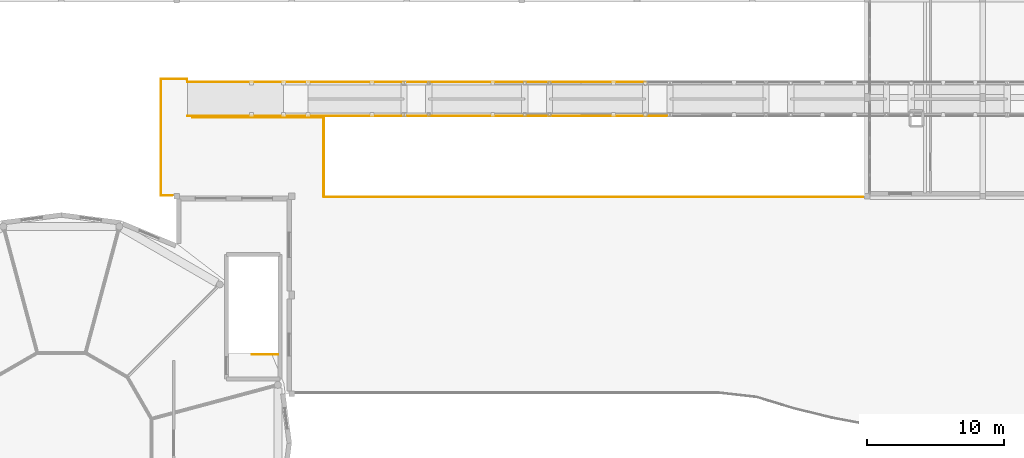
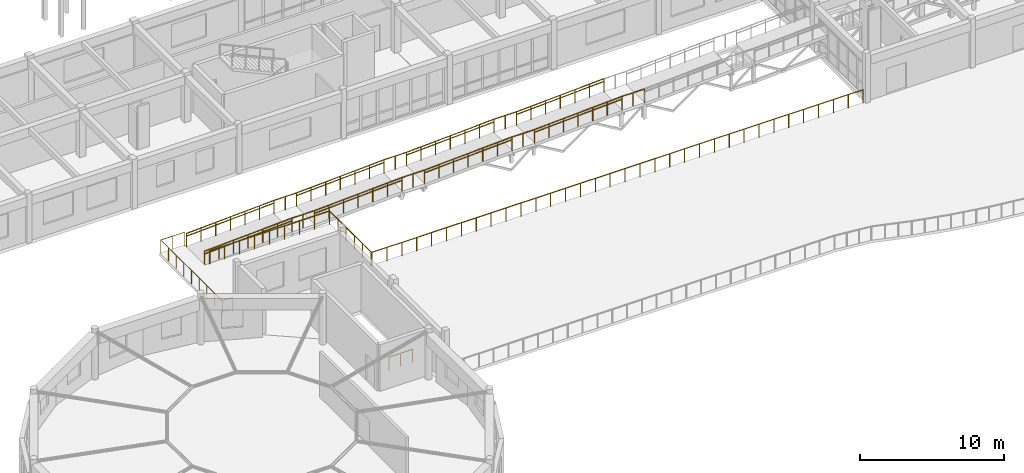
# One storey, part 81 of 90: 26 railings.
"""IFC4 building model written with IfcOpenShell, lengths in metres."""

import ifcopenshell
import ifcopenshell.guid

model = None  # the IFC model being written
_history = None  # IfcOwnerHistory: only IFC2X3 demands one
_inside = {}  # id of a spatial element -> (the spatial element, [elements in it])
_under = {}  # id of a project, library or spatial element -> (it, [spatial elements below it])
_declared = {}  # id of a project -> (the project, [libraries it declares])
_typed = {}  # id of a type object -> (the type object, [elements of that type])
_made_of = {}  # id of a material, layer set ... -> (it, [elements and type objects made of it])


def new_model(schema):
    """Start an empty IFC model of exactly this schema.

    Asked for "IFC4X3", IfcOpenShell would pick the latest addendum, in which some entities
    have other attributes; the version numbers below select the first issue.
    IFC2X3 requires an IfcOwnerHistory on every rooted entity: one is made here for all.
    """
    global model, _history
    if schema == "IFC4X3":
        model = ifcopenshell.file(schema_version=(4, 3, 0, 0))
    else:
        model = ifcopenshell.file(schema=schema)
    _inside.clear()
    _under.clear()
    _declared.clear()
    _typed.clear()
    _made_of.clear()
    _history = None
    if model.schema == "IFC2X3":
        org = make("IfcOrganization", Name="unknown")
        user = make(
            "IfcPersonAndOrganization",
            ThePerson=make("IfcPerson", FamilyName="unknown"),
            TheOrganization=org,
        )
        app = make(
            "IfcApplication",
            ApplicationDeveloper=org,
            Version="unknown",
            ApplicationFullName="unknown",
            ApplicationIdentifier="unknown",
        )
        _history = make(
            "IfcOwnerHistory",
            OwningUser=user,
            OwningApplication=app,
            ChangeAction="ADDED",
            CreationDate=0,
        )
    return model


def make(cls, **values):
    """One entity of the class cls with the attributes given. An attribute that is None is left unset."""
    return model.create_entity(
        cls, **{name: value for name, value in values.items() if value is not None}
    )


def rooted(cls, **values):
    """An entity with a GlobalId (a new one), such as an element, a storey or a relation."""
    return make(cls, GlobalId=ifcopenshell.guid.new(), OwnerHistory=_history, **values)


def si_unit(unit_type, name, prefix=None):
    """IfcSIUnit, for example si_unit("LENGTHUNIT", "METRE", prefix="MILLI")."""
    return make("IfcSIUnit", UnitType=unit_type, Prefix=prefix, Name=name)


def assignment(units):
    """IfcUnitAssignment: the units of a project."""
    return None if units is None else make("IfcUnitAssignment", Units=units)


def point(xyz):
    """IfcCartesianPoint."""
    return None if xyz is None else make("IfcCartesianPoint", Coordinates=xyz)


def direction(xyz):
    """IfcDirection."""
    return None if xyz is None else make("IfcDirection", DirectionRatios=xyz)


def frame(location, z_axis=None, x_axis=None):
    """IfcAxis2Placement3D, a coordinate frame: its origin and axes. An axis left out is left unset."""
    return make(
        "IfcAxis2Placement3D",
        Location=point(location),
        Axis=direction(z_axis),
        RefDirection=direction(x_axis),
    )


def frame_2d(location, x_axis=None):
    """IfcAxis2Placement2D, a coordinate frame in the plane: its origin and x axis."""
    return make(
        "IfcAxis2Placement2D", Location=point(location), RefDirection=direction(x_axis)
    )


def origin():
    """The frame at (0, 0, 0) with its axes left unset."""
    return frame((0.0, 0.0, 0.0))


def origin_2d():
    """The frame at (0, 0) in the plane with its x axis left unset."""
    return frame_2d((0.0, 0.0))


def place(relative_to, where):
    """IfcLocalPlacement: puts the frame where relative to a parent placement (None: the world)."""
    return make(
        "IfcLocalPlacement", PlacementRelTo=relative_to, RelativePlacement=where
    )


def context(
    kind, dimensions, precision=None, world=None, true_north=None, identifier=None
):
    """IfcGeometricRepresentationContext, for example the 3D "Model" context."""
    return make(
        "IfcGeometricRepresentationContext",
        ContextIdentifier=identifier,
        ContextType=kind,
        CoordinateSpaceDimension=dimensions,
        Precision=precision,
        WorldCoordinateSystem=world,
        TrueNorth=true_north,
    )


def subcontext(parent, identifier, kind, view, scale=None):
    """IfcGeometricRepresentationSubContext, for example "Body" below "Model"."""
    return make(
        "IfcGeometricRepresentationSubContext",
        ContextIdentifier=identifier,
        ContextType=kind,
        ParentContext=parent,
        TargetScale=scale,
        TargetView=view,
    )


def project(units=None, contexts=None):
    """IfcProject with its units and contexts."""
    return rooted(
        "IfcProject",
        Name="project",
        RepresentationContexts=contexts,
        UnitsInContext=assignment(units),
    )


def spatial(cls, under=None, at=None, **own):
    """A site, building, storey or space (cls), placed at a placement, below another one or the project."""
    s = rooted(cls, ObjectPlacement=at, **own)
    if under is not None:
        _under.setdefault(under.id(), (under, []))[1].append(s)
    return s


def profile(cls, at=None, kind="AREA", **sizes):
    """A parametric profile (cls). Its sizes go by their IFC names, for example OverallWidth=200.0."""
    return make(cls, ProfileType=kind, Position=at, **sizes)


def circle(**sizes):
    """IfcCircleProfileDef."""
    return profile("IfcCircleProfileDef", **sizes)


def extrude(swept, where, along, depth):
    """IfcExtrudedAreaSolid: the profile swept, set in the frame where, extruded along a direction by depth."""
    return make(
        "IfcExtrudedAreaSolid",
        SweptArea=swept,
        Position=where,
        ExtrudedDirection=direction(along),
        Depth=depth,
    )


def shape(context_of_items, identifier, shape_type, items):
    """IfcShapeRepresentation: the items that make up one representation, for example the "Body"."""
    return make(
        "IfcShapeRepresentation",
        ContextOfItems=context_of_items,
        RepresentationIdentifier=identifier,
        RepresentationType=shape_type,
        Items=items,
    )


def material(Name=None, Category=None):
    """IfcMaterial."""
    return make("IfcMaterial", Name=Name, Category=Category)


def layer(
    of_material, thickness, ventilated=None, Name=None, Category=None, Priority=None
):
    """IfcMaterialLayer: one layer of a wall or slab, of a material (None: an air gap)."""
    return make(
        "IfcMaterialLayer",
        Material=of_material,
        LayerThickness=thickness,
        IsVentilated=ventilated,
        Name=Name,
        Category=Category,
        Priority=Priority,
    )


def layer_set(layers, Name=None):
    """IfcMaterialLayerSet."""
    return make("IfcMaterialLayerSet", MaterialLayers=layers, LayerSetName=Name)


def made_of(thing, what):
    """Note that an element or type object is made of a material, layer set ...; save() writes the relation."""
    if what is not None:
        _made_of.setdefault(what.id(), (what, []))[1].append(thing)
    return thing


def type_object(cls, material=None, **own):
    """A type object (cls), such as IfcWallType, which elements share."""
    return made_of(rooted(cls, **own), material)


def element(
    cls,
    number,
    at=None,
    inside=None,
    cuts=None,
    type_object=None,
    material=None,
    context=None,
    identifier="Body",
    shape_type=None,
    held_by="IfcProductDefinitionShape",
    body=None,
    shapes=None,
    **own,
):
    """One element of the class cls, such as IfcWall. Its Tag is "e" and its number.

    at: its placement. inside: the storey or other place that contains it. cuts: it is an
    opening in that element (IfcRelVoidsElement). A single representation is given by context,
    identifier, shape_type and body (its items); several are given by shapes. held_by: the class
    of the entity that holds the representations. save() writes the other relations.
    """
    e = rooted(cls, Tag="e%d" % number, ObjectPlacement=at, **own)
    if body is not None:
        shapes = [shape(context, identifier, shape_type, body)]
    if shapes is not None:
        e.Representation = make(held_by, Representations=shapes)
    if inside is not None:
        _inside.setdefault(inside.id(), (inside, []))[1].append(e)
    if cuts is not None:
        rooted(
            "IfcRelVoidsElement", RelatingBuildingElement=cuts, RelatedOpeningElement=e
        )
    if type_object is not None:
        _typed.setdefault(type_object.id(), (type_object, []))[1].append(e)
    return made_of(e, material)


def aggregate(whole, parts):
    """IfcRelAggregates: a whole, such as a stair, and the parts it consists of."""
    return rooted("IfcRelAggregates", RelatingObject=whole, RelatedObjects=parts)


def save(model, path):
    """Write the relations noted so far, then the file.

    IfcRelAggregates (storeys below a building ...), IfcRelContainedInSpatialStructure (elements
    in a storey), IfcRelDefinesByType, IfcRelAssociatesMaterial and IfcRelDeclares: one each for
    every whole, place, type object, material and project.
    """
    for whole, parts in _under.values():
        aggregate(whole, parts)
    for where, things in _inside.values():
        rooted(
            "IfcRelContainedInSpatialStructure",
            RelatedElements=things,
            RelatingStructure=where,
        )
    for kind, things in _typed.values():
        rooted("IfcRelDefinesByType", RelatedObjects=things, RelatingType=kind)
    for what, things in _made_of.values():
        rooted("IfcRelAssociatesMaterial", RelatedObjects=things, RelatingMaterial=what)
    for by, libraries in _declared.values():
        rooted("IfcRelDeclares", RelatingContext=by, RelatedDefinitions=libraries)
    model.write(path)


model = new_model("IFC4")

# Units and contexts
model_context = context("Model", 3, precision=1e-05, world=origin(), true_north=direction((0.0, 1.0)))
body_context = subcontext(model_context, "Body", "Model", "MODEL_VIEW")
ifc_project = project(units=[si_unit("LENGTHUNIT", "METRE"), si_unit("AREAUNIT", "SQUARE_METRE"), si_unit("VOLUMEUNIT", "CUBIC_METRE"), si_unit("PLANEANGLEUNIT", "RADIAN"), si_unit("MASSUNIT", "GRAM", prefix="KILO")], contexts=[model_context])

# Site, building, storey
site_placement = place(None, origin())
site = spatial("IfcSite", under=ifc_project, at=site_placement, CompositionType="ELEMENT")
building_placement = place(site_placement, origin())
building = spatial("IfcBuilding", under=site, at=building_placement, Name="Malvenik Polytechnic", CompositionType="ELEMENT")
storey_placement = place(building_placement, frame((0.0, 0.0, 9.300048828125)))
storey = spatial("IfcBuildingStorey", under=building, at=storey_placement, Name="L02", CompositionType="ELEMENT", Elevation=9.300048828125)

# Railings
ifc_material_1 = material(Name="Galvanised powder-coated steel and laminated glass guard 1150mm", Category="steel")
ifc_layer_1 = layer(ifc_material_1, 0.070068359375)
ifc_layer_set_1 = layer_set([ifc_layer_1], Name="Galvanised powder-coated steel and laminated glass guard 1150mm")
railing_type_1 = type_object("IfcRailingType", Name="ARC-RL-BAL-1150", PredefinedType="BALUSTRADE", material=ifc_layer_set_1)
for number, where, name in (
    (1, (26.0, 41.860107421875, 0.0), "Ramp Balustrade RB-01 #1S"),
    (2, (26.0, 44.340087890625, 0.0), "Ramp Balustrade RB-01 #1N"),
):
    element("IfcRailing", number, at=place(storey_placement, frame(where)), inside=storey, type_object=railing_type_1, Name=name, PredefinedType="BALUSTRADE", context=body_context, shape_type="SweptSolid", body=[
        extrude(circle(Radius=0.02392578125, at=origin_2d()), frame((0.0, 0.0, 1.1259765625), z_axis=(0.998753381067, 0.0, 0.049916768801), x_axis=(0.0, 1.0, 0.0)), (0.0, 0.0, 1.0), 7.0087890625),
        extrude(circle(Radius=0.02099609375, at=origin_2d()), origin(), (0.0, 0.0, 1.0), 1.101806640625),
        extrude(circle(Radius=0.02099609375, at=origin_2d()), frame((1.166748046875, 0.0, 0.058349609375)), (0.0, 0.0, 1.0), 1.101806640625),
        extrude(circle(Radius=0.02099609375, at=origin_2d()), frame((2.333251953125, 0.0, 0.11669921875)), (0.0, 0.0, 1.0), 1.101806640625),
        extrude(circle(Radius=0.02099609375, at=origin_2d()), frame((3.5, 0.0, 0.1748046875)), (0.0, 0.0, 1.0), 1.101806640625),
        extrude(circle(Radius=0.02099609375, at=origin_2d()), frame((4.666748046875, 0.0, 0.233154296875)), (0.0, 0.0, 1.0), 1.101806640625),
        extrude(circle(Radius=0.02099609375, at=origin_2d()), frame((5.833251953125, 0.0, 0.29150390625)), (0.0, 0.0, 1.0), 1.101806640625),
        extrude(circle(Radius=0.02099609375, at=origin_2d()), frame((7.0, 0.0, 0.349853515625)), (0.0, 0.0, 1.0), 1.101806640625),
    ])
for number, where, name in (
    (3, (33.0, 41.860107421875, 0.349853515625), "Ramp Landing Balustrade RB-01 #1S"),
    (4, (33.0, 44.340087890625, 0.349853515625), "Ramp Landing Balustrade RB-01 #1N"),
):
    element("IfcRailing", number, at=place(storey_placement, frame(where)), inside=storey, type_object=railing_type_1, Name=name, PredefinedType="BALUSTRADE", context=body_context, shape_type="SweptSolid", body=[
        extrude(circle(Radius=0.02392578125, at=origin_2d()), frame((0.0, 0.0, 1.1259765625), z_axis=(1.0, 0.0, 0.0), x_axis=(0.0, 1.0, 0.0)), (0.0, 0.0, 1.0), 1.800048828125),
        extrude(circle(Radius=0.02099609375, at=origin_2d()), origin(), (0.0, 0.0, 1.0), 1.101806640625),
        extrude(circle(Radius=0.02099609375, at=origin_2d()), frame((0.89990234375, 0.0, 0.0)), (0.0, 0.0, 1.0), 1.101806640625),
        extrude(circle(Radius=0.02099609375, at=origin_2d()), frame((1.800048828125, 0.0, 0.0)), (0.0, 0.0, 1.0), 1.101806640625),
    ])
for number, where, name in (
    (5, (34.800048828125, 41.860107421875, 0.349853515625), "Ramp Balustrade RB-01 #2S"),
    (6, (34.800048828125, 44.340087890625, 0.349853515625), "Ramp Balustrade RB-01 #2N"),
):
    element("IfcRailing", number, at=place(storey_placement, frame(where)), inside=storey, type_object=railing_type_1, Name=name, PredefinedType="BALUSTRADE", context=body_context, shape_type="SweptSolid", body=[
        extrude(circle(Radius=0.02392578125, at=origin_2d()), frame((0.0, 0.0, 1.1259765625), z_axis=(0.998751643845, 0.0, 0.049951515669), x_axis=(0.0, 1.0, 0.0)), (0.0, 0.0, 1.0), 7.0087890625),
        extrude(circle(Radius=0.02099609375, at=origin_2d()), origin(), (0.0, 0.0, 1.0), 1.101806640625),
        extrude(circle(Radius=0.02099609375, at=origin_2d()), frame((1.166748046875, 0.0, 0.058349609375)), (0.0, 0.0, 1.0), 1.101806640625),
        extrude(circle(Radius=0.02099609375, at=origin_2d()), frame((2.333251953125, 0.0, 0.11669921875)), (0.0, 0.0, 1.0), 1.101806640625),
        extrude(circle(Radius=0.02099609375, at=origin_2d()), frame((3.5, 0.0, 0.175048828125)), (0.0, 0.0, 1.0), 1.101806640625),
        extrude(circle(Radius=0.02099609375, at=origin_2d()), frame((4.666748046875, 0.0, 0.2333984375)), (0.0, 0.0, 1.0), 1.101806640625),
        extrude(circle(Radius=0.02099609375, at=origin_2d()), frame((5.833251953125, 0.0, 0.291748046875)), (0.0, 0.0, 1.0), 1.101806640625),
        extrude(circle(Radius=0.02099609375, at=origin_2d()), frame((7.0, 0.0, 0.35009765625)), (0.0, 0.0, 1.0), 1.101806640625),
    ])
for number, where, name in (
    (7, (41.800048828125, 41.860107421875, 0.699951171875), "Ramp Landing Balustrade RB-01 #2S"),
    (8, (41.800048828125, 44.340087890625, 0.699951171875), "Ramp Landing Balustrade RB-01 #2N"),
):
    element("IfcRailing", number, at=place(storey_placement, frame(where)), inside=storey, type_object=railing_type_1, Name=name, PredefinedType="BALUSTRADE", context=body_context, shape_type="SweptSolid", body=[
        extrude(circle(Radius=0.02392578125, at=origin_2d()), frame((0.0, 0.0, 1.1259765625), z_axis=(1.0, 0.0, 0.0), x_axis=(0.0, 1.0, 0.0)), (0.0, 0.0, 1.0), 1.800048828125),
        extrude(circle(Radius=0.02099609375, at=origin_2d()), origin(), (0.0, 0.0, 1.0), 1.101806640625),
        extrude(circle(Radius=0.02099609375, at=origin_2d()), frame((0.89990234375, 0.0, 0.0)), (0.0, 0.0, 1.0), 1.101806640625),
        extrude(circle(Radius=0.02099609375, at=origin_2d()), frame((1.800048828125, 0.0, 0.0)), (0.0, 0.0, 1.0), 1.101806640625),
    ])
for number, where, name in (
    (9, (43.60009765625, 41.860107421875, 0.699951171875), "Ramp Balustrade RB-01 #3S"),
    (10, (43.60009765625, 44.340087890625, 0.699951171875), "Ramp Balustrade RB-01 #3N"),
):
    element("IfcRailing", number, at=place(storey_placement, frame(where)), inside=storey, type_object=railing_type_1, Name=name, PredefinedType="BALUSTRADE", context=body_context, shape_type="SweptSolid", body=[
        extrude(circle(Radius=0.02392578125, at=origin_2d()), frame((0.0, 0.0, 1.1259765625), z_axis=(0.998751643845, 0.0, 0.049951515669), x_axis=(0.0, 1.0, 0.0)), (0.0, 0.0, 1.0), 7.0087890625),
        extrude(circle(Radius=0.02099609375, at=origin_2d()), origin(), (0.0, 0.0, 1.0), 1.101806640625),
        extrude(circle(Radius=0.02099609375, at=origin_2d()), frame((1.166748046875, 0.0, 0.058349609375)), (0.0, 0.0, 1.0), 1.101806640625),
        extrude(circle(Radius=0.02099609375, at=origin_2d()), frame((2.333251953125, 0.0, 0.11669921875)), (0.0, 0.0, 1.0), 1.101806640625),
        extrude(circle(Radius=0.02099609375, at=origin_2d()), frame((3.5, 0.0, 0.175048828125)), (0.0, 0.0, 1.0), 1.101806640625),
        extrude(circle(Radius=0.02099609375, at=origin_2d()), frame((4.666748046875, 0.0, 0.2333984375)), (0.0, 0.0, 1.0), 1.101806640625),
        extrude(circle(Radius=0.02099609375, at=origin_2d()), frame((5.833251953125, 0.0, 0.291748046875)), (0.0, 0.0, 1.0), 1.101806640625),
        extrude(circle(Radius=0.02099609375, at=origin_2d()), frame((7.0, 0.0, 0.35009765625)), (0.0, 0.0, 1.0), 1.101806640625),
    ])
for number, where, name in (
    (11, (50.60009765625, 41.860107421875, 1.050048828125), "Ramp Landing Balustrade RB-01 #3S"),
    (12, (50.60009765625, 44.340087890625, 1.050048828125), "Ramp Landing Balustrade RB-01 #3N"),
):
    element("IfcRailing", number, at=place(storey_placement, frame(where)), inside=storey, type_object=railing_type_1, Name=name, PredefinedType="BALUSTRADE", context=body_context, shape_type="SweptSolid", body=[
        extrude(circle(Radius=0.02392578125, at=origin_2d()), frame((0.0, 0.0, 1.1259765625), z_axis=(1.0, 0.0, 0.0), x_axis=(0.0, 1.0, 0.0)), (0.0, 0.0, 1.0), 1.7998046875),
        extrude(circle(Radius=0.02099609375, at=origin_2d()), origin(), (0.0, 0.0, 1.0), 1.101806640625),
        extrude(circle(Radius=0.02099609375, at=origin_2d()), frame((0.89990234375, 0.0, 0.0)), (0.0, 0.0, 1.0), 1.101806640625),
        extrude(circle(Radius=0.02099609375, at=origin_2d()), frame((1.7998046875, 0.0, 0.0)), (0.0, 0.0, 1.0), 1.101806640625),
    ])
for number, where, name in (
    (13, (52.39990234375, 41.860107421875, 1.050048828125), "Ramp Balustrade RB-01 #4S"),
    (14, (52.39990234375, 44.340087890625, 1.050048828125), "Ramp Balustrade RB-01 #4N"),
):
    element("IfcRailing", number, at=place(storey_placement, frame(where)), inside=storey, type_object=railing_type_1, Name=name, PredefinedType="BALUSTRADE", context=body_context, shape_type="SweptSolid", body=[
        extrude(circle(Radius=0.02392578125, at=origin_2d()), frame((0.0, 0.0, 1.1259765625), z_axis=(0.998753381067, 0.0, 0.049916768801), x_axis=(0.0, 1.0, 0.0)), (0.0, 0.0, 1.0), 7.0087890625),
        extrude(circle(Radius=0.02099609375, at=origin_2d()), origin(), (0.0, 0.0, 1.0), 1.101806640625),
        extrude(circle(Radius=0.02099609375, at=origin_2d()), frame((1.166748046875, 0.0, 0.058349609375)), (0.0, 0.0, 1.0), 1.101806640625),
        extrude(circle(Radius=0.02099609375, at=origin_2d()), frame((2.333251953125, 0.0, 0.11669921875)), (0.0, 0.0, 1.0), 1.101806640625),
        extrude(circle(Radius=0.02099609375, at=origin_2d()), frame((3.5, 0.0, 0.1748046875)), (0.0, 0.0, 1.0), 1.101806640625),
        extrude(circle(Radius=0.02099609375, at=origin_2d()), frame((4.666748046875, 0.0, 0.233154296875)), (0.0, 0.0, 1.0), 1.101806640625),
        extrude(circle(Radius=0.02099609375, at=origin_2d()), frame((5.833251953125, 0.0, 0.29150390625)), (0.0, 0.0, 1.0), 1.101806640625),
        extrude(circle(Radius=0.02099609375, at=origin_2d()), frame((7.0, 0.0, 0.349853515625)), (0.0, 0.0, 1.0), 1.101806640625),
    ])
railing_1_placement = place(storey_placement, frame((59.39990234375, 41.860107421875, 1.39990234375)))
element("IfcRailing", 15, at=railing_1_placement, inside=storey, type_object=railing_type_1, Name="Ramp Landing Balustrade RB-01 #4S", PredefinedType="BALUSTRADE", context=body_context, shape_type="SweptSolid", body=[
    extrude(circle(Radius=0.02392578125, at=origin_2d()), frame((0.0, 0.0, 1.1259765625), z_axis=(1.0, 0.0, 0.0), x_axis=(0.0, 1.0, 0.0)), (0.0, 0.0, 1.0), 1.800048828125),
    extrude(circle(Radius=0.02099609375, at=origin_2d()), origin(), (0.0, 0.0, 1.0), 1.101806640625),
    extrude(circle(Radius=0.02099609375, at=origin_2d()), frame((0.89990234375, 0.0, 0.0)), (0.0, 0.0, 1.0), 1.101806640625),
    extrude(circle(Radius=0.02099609375, at=origin_2d()), frame((1.800048828125, 0.0, 0.0)), (0.0, 0.0, 1.0), 1.101806640625),
])
railing_2_placement = place(storey_placement, frame((24.8857421875, 36.06005859375, 0.0)))
element("IfcRailing", 16, at=railing_2_placement, inside=storey, type_object=railing_type_1, Name="Terrace Perimeter Balustrade L02 #11", PredefinedType="BALUSTRADE", context=body_context, shape_type="SweptSolid", body=[
    extrude(circle(Radius=0.02392578125, at=origin_2d()), frame((0.0, 0.0, 1.1259765625), z_axis=(-1.0, 0.0, 0.0), x_axis=(0.0, -1.0, 0.0)), (0.0, 0.0, 1.0), 0.82568359375),
    extrude(circle(Radius=0.02392578125, at=origin_2d()), frame((-0.82568359375, 0.0, 1.1259765625), z_axis=(0.0, 1.0, 0.0), x_axis=(-1.0, 0.0, 0.0)), (0.0, 0.0, 1.0), 8.47998046875),
    extrude(circle(Radius=0.02392578125, at=origin_2d()), frame((-0.82568359375, 8.47998046875, 1.1259765625), z_axis=(1.0, 0.0, 0.0), x_axis=(0.0, 1.0, 0.0)), (0.0, 0.0, 1.0), 1.89990234375),
    extrude(circle(Radius=0.02392578125, at=origin_2d()), frame((1.07421875, 8.47998046875, 1.1259765625), z_axis=(0.0, -1.0, 0.0), x_axis=(1.0, 0.0, 0.0)), (0.0, 0.0, 1.0), 0.02001953125),
    extrude(circle(Radius=0.02099609375, at=origin_2d()), origin(), (0.0, 0.0, 1.0), 1.101806640625),
    extrude(circle(Radius=0.02099609375, at=origin_2d()), frame((-0.82568359375, 0.0, 0.0)), (0.0, 0.0, 1.0), 1.101806640625),
    extrude(circle(Radius=0.02099609375, at=origin_2d()), frame((-0.82568359375, 1.06005859375, 0.0)), (0.0, 0.0, 1.0), 1.101806640625),
    extrude(circle(Radius=0.02099609375, at=origin_2d()), frame((-0.82568359375, 2.1201171875, 0.0)), (0.0, 0.0, 1.0), 1.101806640625),
    extrude(circle(Radius=0.02099609375, at=origin_2d()), frame((-0.82568359375, 3.179931640625, 0.0)), (0.0, 0.0, 1.0), 1.101806640625),
    extrude(circle(Radius=0.02099609375, at=origin_2d()), frame((-0.82568359375, 4.239990234375, 0.0)), (0.0, 0.0, 1.0), 1.101806640625),
    extrude(circle(Radius=0.02099609375, at=origin_2d()), frame((-0.82568359375, 5.300048828125, 0.0)), (0.0, 0.0, 1.0), 1.101806640625),
    extrude(circle(Radius=0.02099609375, at=origin_2d()), frame((-0.82568359375, 6.35986328125, 0.0)), (0.0, 0.0, 1.0), 1.101806640625),
    extrude(circle(Radius=0.02099609375, at=origin_2d()), frame((-0.82568359375, 7.419921875, 0.0)), (0.0, 0.0, 1.0), 1.101806640625),
    extrude(circle(Radius=0.02099609375, at=origin_2d()), frame((-0.82568359375, 8.47998046875, 0.0)), (0.0, 0.0, 1.0), 1.101806640625),
    extrude(circle(Radius=0.02099609375, at=origin_2d()), frame((0.124267578125, 8.47998046875, 0.0)), (0.0, 0.0, 1.0), 1.101806640625),
    extrude(circle(Radius=0.02099609375, at=origin_2d()), frame((1.07421875, 8.47998046875, 0.0)), (0.0, 0.0, 1.0), 1.101806640625),
    extrude(circle(Radius=0.02099609375, at=origin_2d()), frame((1.07421875, 8.4599609375, 0.0)), (0.0, 0.0, 1.0), 1.101806640625),
])
railing_3_placement = place(storey_placement, frame((26.35009765625, 41.739990234375, 0.0)))
element("IfcRailing", 17, at=railing_3_placement, inside=storey, type_object=railing_type_1, Name="Terrace Perimeter Balustrade L02 #12", PredefinedType="BALUSTRADE", context=body_context, shape_type="SweptSolid", body=[
    extrude(circle(Radius=0.02392578125, at=origin_2d()), frame((0.0, 0.0, 1.1259765625), z_axis=(1.0, 0.0, 0.0), x_axis=(0.0, 1.0, 0.0)), (0.0, 0.0, 1.0), 9.58984375),
    extrude(circle(Radius=0.02392578125, at=origin_2d()), frame((9.58984375, 0.0, 1.1259765625), z_axis=(0.0, -1.0, 0.0), x_axis=(1.0, 0.0, 0.0)), (0.0, 0.0, 1.0), 5.739990234375),
    extrude(circle(Radius=0.02392578125, at=origin_2d()), frame((9.58984375, -5.739990234375, 1.1259765625), z_axis=(0.041630544712, -0.999133073092, 0.0), x_axis=(0.999133073092, 0.041630544712, 0.0)), (0.0, 0.0, 1.0), 0.005859375),
    extrude(circle(Radius=0.02392578125, at=origin_2d()), frame((9.590087890625, -5.745849609375, 1.1259765625), z_axis=(0.164398987305, -0.986393923832, 0.0), x_axis=(0.986393923832, 0.164398987305, 0.0)), (0.0, 0.0, 1.0), 0.005859375),
    extrude(circle(Radius=0.02392578125, at=origin_2d()), frame((9.591064453125, -5.751708984375, 1.1259765625), z_axis=(0.252421897147, -0.967617272397, 0.0), x_axis=(0.967617272397, 0.252421897147, 0.0)), (0.0, 0.0, 1.0), 0.005859375),
    extrude(circle(Radius=0.02392578125, at=origin_2d()), frame((9.592529296875, -5.75732421875, 1.1259765625), z_axis=(0.328520624941, -0.944496796706, 0.0), x_axis=(0.944496796706, 0.328520624941, 0.0)), (0.0, 0.0, 1.0), 0.005859375),
    extrude(circle(Radius=0.02392578125, at=origin_2d()), frame((9.594482421875, -5.762939453125, 1.1259765625), z_axis=(0.413802944301, -0.910366477463, 0.0), x_axis=(0.910366477463, 0.413802944301, 0.0)), (0.0, 0.0, 1.0), 0.005859375),
    extrude(circle(Radius=0.02392578125, at=origin_2d()), frame((9.596923828125, -5.768310546875, 1.1259765625), z_axis=(0.544988350595, -0.838443616301, 0.0), x_axis=(0.838443616301, 0.544988350595, 0.0)), (0.0, 0.0, 1.0), 0.005859375),
    extrude(circle(Radius=0.02392578125, at=origin_2d()), frame((9.60009765625, -5.773193359375, 1.1259765625), z_axis=(0.573462344363, -0.819231920519, 0.0), x_axis=(0.819231920519, 0.573462344363, 0.0)), (0.0, 0.0, 1.0), 0.005859375),
    extrude(circle(Radius=0.02392578125, at=origin_2d()), frame((9.603515625, -5.778076171875, 1.1259765625), z_axis=(0.66436383883, -0.747409318684, 0.0), x_axis=(0.747409318684, 0.66436383883, 0.0)), (0.0, 0.0, 1.0), 0.005859375),
    extrude(circle(Radius=0.02392578125, at=origin_2d()), frame((9.607421875, -5.782470703125, 1.1259765625), z_axis=(0.747409318684, -0.66436383883, 0.0), x_axis=(0.66436383883, 0.747409318684, 0.0)), (0.0, 0.0, 1.0), 0.005859375),
    extrude(circle(Radius=0.02392578125, at=origin_2d()), frame((9.61181640625, -5.786376953125, 1.1259765625), z_axis=(0.819231920519, -0.573462344363, 0.0), x_axis=(0.573462344363, 0.819231920519, 0.0)), (0.0, 0.0, 1.0), 0.005859375),
    extrude(circle(Radius=0.02392578125, at=origin_2d()), frame((9.61669921875, -5.789794921875, 1.1259765625), z_axis=(0.838443616301, -0.544988350595, 0.0), x_axis=(0.544988350595, 0.838443616301, 0.0)), (0.0, 0.0, 1.0), 0.005859375),
    extrude(circle(Radius=0.02392578125, at=origin_2d()), frame((9.62158203125, -5.79296875, 1.1259765625), z_axis=(0.910366477463, -0.413802944301, 0.0), x_axis=(0.413802944301, 0.910366477463, 0.0)), (0.0, 0.0, 1.0), 0.005859375),
    extrude(circle(Radius=0.02392578125, at=origin_2d()), frame((9.626953125, -5.79541015625, 1.1259765625), z_axis=(0.944496796706, -0.328520624941, 0.0), x_axis=(0.328520624941, 0.944496796706, 0.0)), (0.0, 0.0, 1.0), 0.005859375),
    extrude(circle(Radius=0.02392578125, at=origin_2d()), frame((9.632568359375, -5.79736328125, 1.1259765625), z_axis=(0.967617272397, -0.252421897147, 0.0), x_axis=(0.252421897147, 0.967617272397, 0.0)), (0.0, 0.0, 1.0), 0.005859375),
    extrude(circle(Radius=0.02392578125, at=origin_2d()), frame((9.63818359375, -5.798828125, 1.1259765625), z_axis=(0.986393923832, -0.164398987305, 0.0), x_axis=(0.164398987305, 0.986393923832, 0.0)), (0.0, 0.0, 1.0), 0.005859375),
    extrude(circle(Radius=0.02392578125, at=origin_2d()), frame((9.64404296875, -5.7998046875, 1.1259765625), z_axis=(0.999133073092, -0.041630544712, 0.0), x_axis=(0.041630544712, 0.999133073092, 0.0)), (0.0, 0.0, 1.0), 0.005859375),
    extrude(circle(Radius=0.02392578125, at=origin_2d()), frame((9.64990234375, -5.800048828125, 1.1259765625), z_axis=(1.0, 0.0, 0.0), x_axis=(0.0, 1.0, 0.0)), (0.0, 0.0, 1.0), 39.285888671875),
    extrude(circle(Radius=0.02099609375, at=origin_2d()), origin(), (0.0, 0.0, 1.0), 1.101806640625),
    extrude(circle(Radius=0.02099609375, at=origin_2d()), frame((1.19873046875, 0.0, 0.0)), (0.0, 0.0, 1.0), 1.101806640625),
    extrude(circle(Radius=0.02099609375, at=origin_2d()), frame((2.3974609375, 0.0, 0.0)), (0.0, 0.0, 1.0), 1.101806640625),
    extrude(circle(Radius=0.02099609375, at=origin_2d()), frame((3.59619140625, 0.0, 0.0)), (0.0, 0.0, 1.0), 1.101806640625),
    extrude(circle(Radius=0.02099609375, at=origin_2d()), frame((4.794921875, 0.0, 0.0)), (0.0, 0.0, 1.0), 1.101806640625),
    extrude(circle(Radius=0.02099609375, at=origin_2d()), frame((5.99365234375, 0.0, 0.0)), (0.0, 0.0, 1.0), 1.101806640625),
    extrude(circle(Radius=0.02099609375, at=origin_2d()), frame((7.1923828125, 0.0, 0.0)), (0.0, 0.0, 1.0), 1.101806640625),
    extrude(circle(Radius=0.02099609375, at=origin_2d()), frame((8.39111328125, 0.0, 0.0)), (0.0, 0.0, 1.0), 1.101806640625),
    extrude(circle(Radius=0.02099609375, at=origin_2d()), frame((9.58984375, 0.0, 0.0)), (0.0, 0.0, 1.0), 1.101806640625),
    extrude(circle(Radius=0.02099609375, at=origin_2d()), frame((9.58984375, -1.14794921875, 0.0)), (0.0, 0.0, 1.0), 1.101806640625),
    extrude(circle(Radius=0.02099609375, at=origin_2d()), frame((9.58984375, -2.2958984375, 0.0)), (0.0, 0.0, 1.0), 1.101806640625),
    extrude(circle(Radius=0.02099609375, at=origin_2d()), frame((9.58984375, -3.444091796875, 0.0)), (0.0, 0.0, 1.0), 1.101806640625),
    extrude(circle(Radius=0.02099609375, at=origin_2d()), frame((9.58984375, -4.592041015625, 0.0)), (0.0, 0.0, 1.0), 1.101806640625),
    extrude(circle(Radius=0.02099609375, at=origin_2d()), frame((9.58984375, -5.739990234375, 0.0)), (0.0, 0.0, 1.0), 1.101806640625),
    extrude(circle(Radius=0.02099609375, at=origin_2d()), frame((9.590087890625, -5.745849609375, 0.0)), (0.0, 0.0, 1.0), 1.101806640625),
    extrude(circle(Radius=0.02099609375, at=origin_2d()), frame((9.591064453125, -5.751708984375, 0.0)), (0.0, 0.0, 1.0), 1.101806640625),
    extrude(circle(Radius=0.02099609375, at=origin_2d()), frame((9.592529296875, -5.75732421875, 0.0)), (0.0, 0.0, 1.0), 1.101806640625),
    extrude(circle(Radius=0.02099609375, at=origin_2d()), frame((9.594482421875, -5.762939453125, 0.0)), (0.0, 0.0, 1.0), 1.101806640625),
    extrude(circle(Radius=0.02099609375, at=origin_2d()), frame((9.596923828125, -5.768310546875, 0.0)), (0.0, 0.0, 1.0), 1.101806640625),
    extrude(circle(Radius=0.02099609375, at=origin_2d()), frame((9.60009765625, -5.773193359375, 0.0)), (0.0, 0.0, 1.0), 1.101806640625),
    extrude(circle(Radius=0.02099609375, at=origin_2d()), frame((9.603515625, -5.778076171875, 0.0)), (0.0, 0.0, 1.0), 1.101806640625),
    extrude(circle(Radius=0.02099609375, at=origin_2d()), frame((9.607421875, -5.782470703125, 0.0)), (0.0, 0.0, 1.0), 1.101806640625),
    extrude(circle(Radius=0.02099609375, at=origin_2d()), frame((9.61181640625, -5.786376953125, 0.0)), (0.0, 0.0, 1.0), 1.101806640625),
    extrude(circle(Radius=0.02099609375, at=origin_2d()), frame((9.61669921875, -5.789794921875, 0.0)), (0.0, 0.0, 1.0), 1.101806640625),
    extrude(circle(Radius=0.02099609375, at=origin_2d()), frame((9.62158203125, -5.79296875, 0.0)), (0.0, 0.0, 1.0), 1.101806640625),
    extrude(circle(Radius=0.02099609375, at=origin_2d()), frame((9.626953125, -5.79541015625, 0.0)), (0.0, 0.0, 1.0), 1.101806640625),
    extrude(circle(Radius=0.02099609375, at=origin_2d()), frame((9.632568359375, -5.79736328125, 0.0)), (0.0, 0.0, 1.0), 1.101806640625),
    extrude(circle(Radius=0.02099609375, at=origin_2d()), frame((9.63818359375, -5.798828125, 0.0)), (0.0, 0.0, 1.0), 1.101806640625),
    extrude(circle(Radius=0.02099609375, at=origin_2d()), frame((9.64404296875, -5.7998046875, 0.0)), (0.0, 0.0, 1.0), 1.101806640625),
    extrude(circle(Radius=0.02099609375, at=origin_2d()), frame((9.64990234375, -5.800048828125, 0.0)), (0.0, 0.0, 1.0), 1.101806640625),
    extrude(circle(Radius=0.02099609375, at=origin_2d()), frame((10.84033203125, -5.800048828125, 0.0)), (0.0, 0.0, 1.0), 1.101806640625),
    extrude(circle(Radius=0.02099609375, at=origin_2d()), frame((12.03076171875, -5.800048828125, 0.0)), (0.0, 0.0, 1.0), 1.101806640625),
    extrude(circle(Radius=0.02099609375, at=origin_2d()), frame((13.221435546875, -5.800048828125, 0.0)), (0.0, 0.0, 1.0), 1.101806640625),
    extrude(circle(Radius=0.02099609375, at=origin_2d()), frame((14.411865234375, -5.800048828125, 0.0)), (0.0, 0.0, 1.0), 1.101806640625),
    extrude(circle(Radius=0.02099609375, at=origin_2d()), frame((15.602294921875, -5.800048828125, 0.0)), (0.0, 0.0, 1.0), 1.101806640625),
    extrude(circle(Radius=0.02099609375, at=origin_2d()), frame((16.792724609375, -5.800048828125, 0.0)), (0.0, 0.0, 1.0), 1.101806640625),
    extrude(circle(Radius=0.02099609375, at=origin_2d()), frame((17.983154296875, -5.800048828125, 0.0)), (0.0, 0.0, 1.0), 1.101806640625),
    extrude(circle(Radius=0.02099609375, at=origin_2d()), frame((19.173828125, -5.800048828125, 0.0)), (0.0, 0.0, 1.0), 1.101806640625),
    extrude(circle(Radius=0.02099609375, at=origin_2d()), frame((20.3642578125, -5.800048828125, 0.0)), (0.0, 0.0, 1.0), 1.101806640625),
    extrude(circle(Radius=0.02099609375, at=origin_2d()), frame((21.5546875, -5.800048828125, 0.0)), (0.0, 0.0, 1.0), 1.101806640625),
    extrude(circle(Radius=0.02099609375, at=origin_2d()), frame((22.7451171875, -5.800048828125, 0.0)), (0.0, 0.0, 1.0), 1.101806640625),
    extrude(circle(Radius=0.02099609375, at=origin_2d()), frame((23.935791015625, -5.800048828125, 0.0)), (0.0, 0.0, 1.0), 1.101806640625),
    extrude(circle(Radius=0.02099609375, at=origin_2d()), frame((25.126220703125, -5.800048828125, 0.0)), (0.0, 0.0, 1.0), 1.101806640625),
    extrude(circle(Radius=0.02099609375, at=origin_2d()), frame((26.316650390625, -5.800048828125, 0.0)), (0.0, 0.0, 1.0), 1.101806640625),
    extrude(circle(Radius=0.02099609375, at=origin_2d()), frame((27.507080078125, -5.800048828125, 0.0)), (0.0, 0.0, 1.0), 1.101806640625),
    extrude(circle(Radius=0.02099609375, at=origin_2d()), frame((28.697509765625, -5.800048828125, 0.0)), (0.0, 0.0, 1.0), 1.101806640625),
    extrude(circle(Radius=0.02099609375, at=origin_2d()), frame((29.88818359375, -5.800048828125, 0.0)), (0.0, 0.0, 1.0), 1.101806640625),
    extrude(circle(Radius=0.02099609375, at=origin_2d()), frame((31.07861328125, -5.800048828125, 0.0)), (0.0, 0.0, 1.0), 1.101806640625),
    extrude(circle(Radius=0.02099609375, at=origin_2d()), frame((32.26904296875, -5.800048828125, 0.0)), (0.0, 0.0, 1.0), 1.101806640625),
    extrude(circle(Radius=0.02099609375, at=origin_2d()), frame((33.45947265625, -5.800048828125, 0.0)), (0.0, 0.0, 1.0), 1.101806640625),
    extrude(circle(Radius=0.02099609375, at=origin_2d()), frame((34.64990234375, -5.800048828125, 0.0)), (0.0, 0.0, 1.0), 1.101806640625),
    extrude(circle(Radius=0.02099609375, at=origin_2d()), frame((35.840576171875, -5.800048828125, 0.0)), (0.0, 0.0, 1.0), 1.101806640625),
    extrude(circle(Radius=0.02099609375, at=origin_2d()), frame((37.031005859375, -5.800048828125, 0.0)), (0.0, 0.0, 1.0), 1.101806640625),
    extrude(circle(Radius=0.02099609375, at=origin_2d()), frame((38.221435546875, -5.800048828125, 0.0)), (0.0, 0.0, 1.0), 1.101806640625),
    extrude(circle(Radius=0.02099609375, at=origin_2d()), frame((39.411865234375, -5.800048828125, 0.0)), (0.0, 0.0, 1.0), 1.101806640625),
    extrude(circle(Radius=0.02099609375, at=origin_2d()), frame((40.6025390625, -5.800048828125, 0.0)), (0.0, 0.0, 1.0), 1.101806640625),
    extrude(circle(Radius=0.02099609375, at=origin_2d()), frame((41.79296875, -5.800048828125, 0.0)), (0.0, 0.0, 1.0), 1.101806640625),
    extrude(circle(Radius=0.02099609375, at=origin_2d()), frame((42.9833984375, -5.800048828125, 0.0)), (0.0, 0.0, 1.0), 1.101806640625),
    extrude(circle(Radius=0.02099609375, at=origin_2d()), frame((44.173828125, -5.800048828125, 0.0)), (0.0, 0.0, 1.0), 1.101806640625),
    extrude(circle(Radius=0.02099609375, at=origin_2d()), frame((45.3642578125, -5.800048828125, 0.0)), (0.0, 0.0, 1.0), 1.101806640625),
    extrude(circle(Radius=0.02099609375, at=origin_2d()), frame((46.554931640625, -5.800048828125, 0.0)), (0.0, 0.0, 1.0), 1.101806640625),
    extrude(circle(Radius=0.02099609375, at=origin_2d()), frame((47.745361328125, -5.800048828125, 0.0)), (0.0, 0.0, 1.0), 1.101806640625),
    extrude(circle(Radius=0.02099609375, at=origin_2d()), frame((48.935791015625, -5.800048828125, 0.0)), (0.0, 0.0, 1.0), 1.101806640625),
])
ifc_material_2 = material(Name="Brushed stainless steel 1.4301 tubular handrail 50mm", Category="steel")
ifc_layer_2 = layer(ifc_material_2, 0.050048828125)
ifc_layer_set_2 = layer_set([ifc_layer_2], Name="Brushed stainless steel 1.4301 tubular handrail 50mm")
railing_type_2 = type_object("IfcRailingType", Name="ARC-RL-HR-920", PredefinedType="HANDRAIL", material=ifc_layer_set_2)
for number, where, name in (
    (18, (26.0, 41.860107421875, 0.0), "Ramp Handrail RB-01 #1S"),
    (19, (26.0, 44.340087890625, 0.0), "Ramp Handrail RB-01 #1N"),
):
    element("IfcRailing", number, at=place(storey_placement, frame(where)), inside=storey, type_object=railing_type_2, Name=name, PredefinedType="HANDRAIL", context=body_context, shape_type="SweptSolid", body=[
        extrude(circle(Radius=0.02392578125, at=origin_2d()), frame((0.0, 0.0, 0.89599609375), z_axis=(0.998753381067, 0.0, 0.049916768801), x_axis=(0.0, 1.0, 0.0)), (0.0, 0.0, 1.0), 7.0087890625),
        extrude(circle(Radius=0.02099609375, at=origin_2d()), origin(), (0.0, 0.0, 1.0), 0.871826171875),
        extrude(circle(Radius=0.02099609375, at=origin_2d()), frame((1.166748046875, 0.0, 0.058349609375)), (0.0, 0.0, 1.0), 0.871826171875),
        extrude(circle(Radius=0.02099609375, at=origin_2d()), frame((2.333251953125, 0.0, 0.11669921875)), (0.0, 0.0, 1.0), 0.871826171875),
        extrude(circle(Radius=0.02099609375, at=origin_2d()), frame((3.5, 0.0, 0.1748046875)), (0.0, 0.0, 1.0), 0.871826171875),
        extrude(circle(Radius=0.02099609375, at=origin_2d()), frame((4.666748046875, 0.0, 0.233154296875)), (0.0, 0.0, 1.0), 0.871826171875),
        extrude(circle(Radius=0.02099609375, at=origin_2d()), frame((5.833251953125, 0.0, 0.29150390625)), (0.0, 0.0, 1.0), 0.871826171875),
        extrude(circle(Radius=0.02099609375, at=origin_2d()), frame((7.0, 0.0, 0.349853515625)), (0.0, 0.0, 1.0), 0.871826171875),
    ])
for number, where, name in (
    (20, (34.800048828125, 41.860107421875, 0.349853515625), "Ramp Handrail RB-01 #2S"),
    (21, (34.800048828125, 44.340087890625, 0.349853515625), "Ramp Handrail RB-01 #2N"),
    (22, (43.60009765625, 41.860107421875, 0.699951171875), "Ramp Handrail RB-01 #3S"),
    (23, (43.60009765625, 44.340087890625, 0.699951171875), "Ramp Handrail RB-01 #3N"),
):
    element("IfcRailing", number, at=place(storey_placement, frame(where)), inside=storey, type_object=railing_type_2, Name=name, PredefinedType="HANDRAIL", context=body_context, shape_type="SweptSolid", body=[
        extrude(circle(Radius=0.02392578125, at=origin_2d()), frame((0.0, 0.0, 0.89599609375), z_axis=(0.998751643845, 0.0, 0.049951515669), x_axis=(0.0, 1.0, 0.0)), (0.0, 0.0, 1.0), 7.0087890625),
        extrude(circle(Radius=0.02099609375, at=origin_2d()), origin(), (0.0, 0.0, 1.0), 0.871826171875),
        extrude(circle(Radius=0.02099609375, at=origin_2d()), frame((1.166748046875, 0.0, 0.058349609375)), (0.0, 0.0, 1.0), 0.871826171875),
        extrude(circle(Radius=0.02099609375, at=origin_2d()), frame((2.333251953125, 0.0, 0.11669921875)), (0.0, 0.0, 1.0), 0.871826171875),
        extrude(circle(Radius=0.02099609375, at=origin_2d()), frame((3.5, 0.0, 0.175048828125)), (0.0, 0.0, 1.0), 0.871826171875),
        extrude(circle(Radius=0.02099609375, at=origin_2d()), frame((4.666748046875, 0.0, 0.2333984375)), (0.0, 0.0, 1.0), 0.871826171875),
        extrude(circle(Radius=0.02099609375, at=origin_2d()), frame((5.833251953125, 0.0, 0.291748046875)), (0.0, 0.0, 1.0), 0.871826171875),
        extrude(circle(Radius=0.02099609375, at=origin_2d()), frame((7.0, 0.0, 0.35009765625)), (0.0, 0.0, 1.0), 0.871826171875),
    ])
for number, where, name in (
    (24, (52.39990234375, 41.860107421875, 1.050048828125), "Ramp Handrail RB-01 #4S"),
    (25, (52.39990234375, 44.340087890625, 1.050048828125), "Ramp Handrail RB-01 #4N"),
):
    element("IfcRailing", number, at=place(storey_placement, frame(where)), inside=storey, type_object=railing_type_2, Name=name, PredefinedType="HANDRAIL", context=body_context, shape_type="SweptSolid", body=[
        extrude(circle(Radius=0.02392578125, at=origin_2d()), frame((0.0, 0.0, 0.89599609375), z_axis=(0.998753381067, 0.0, 0.049916768801), x_axis=(0.0, 1.0, 0.0)), (0.0, 0.0, 1.0), 7.0087890625),
        extrude(circle(Radius=0.02099609375, at=origin_2d()), origin(), (0.0, 0.0, 1.0), 0.871826171875),
        extrude(circle(Radius=0.02099609375, at=origin_2d()), frame((1.166748046875, 0.0, 0.058349609375)), (0.0, 0.0, 1.0), 0.871826171875),
        extrude(circle(Radius=0.02099609375, at=origin_2d()), frame((2.333251953125, 0.0, 0.11669921875)), (0.0, 0.0, 1.0), 0.871826171875),
        extrude(circle(Radius=0.02099609375, at=origin_2d()), frame((3.5, 0.0, 0.1748046875)), (0.0, 0.0, 1.0), 0.871826171875),
        extrude(circle(Radius=0.02099609375, at=origin_2d()), frame((4.666748046875, 0.0, 0.233154296875)), (0.0, 0.0, 1.0), 0.871826171875),
        extrude(circle(Radius=0.02099609375, at=origin_2d()), frame((5.833251953125, 0.0, 0.29150390625)), (0.0, 0.0, 1.0), 0.871826171875),
        extrude(circle(Radius=0.02099609375, at=origin_2d()), frame((7.0, 0.0, 0.349853515625)), (0.0, 0.0, 1.0), 0.871826171875),
    ])
ifc_material_3 = material(Name="Painted galvanised steel stair well balustrade 1100mm", Category="steel")
ifc_layer_3 = layer(ifc_material_3, 0.050048828125)
ifc_layer_set_3 = layer_set([ifc_layer_3], Name="Painted galvanised steel stair well balustrade 1100mm")
railing_type_3 = type_object("IfcRailingType", Name="ARC-RL-STGD", PredefinedType="BALUSTRADE", material=ifc_layer_set_3)
railing_4_placement = place(storey_placement, frame((32.60009765625, 24.449951171875, 0.0)))
element("IfcRailing", 26, at=railing_4_placement, inside=storey, type_object=railing_type_3, Name="L02 ST-09 top well guard 1", PredefinedType="BALUSTRADE", context=body_context, shape_type="SweptSolid", body=[
    extrude(circle(Radius=0.02392578125, at=origin_2d()), frame((0.0, 0.0, 1.076171875), z_axis=(-1.0, 0.0, 0.0), x_axis=(0.0, -1.0, 0.0)), (0.0, 0.0, 1.0), 1.900146484375),
    extrude(circle(Radius=0.02099609375, at=origin_2d()), origin(), (0.0, 0.0, 1.0), 1.052001953125),
    extrude(circle(Radius=0.02099609375, at=origin_2d()), frame((-0.9501953125, 0.0, 0.0)), (0.0, 0.0, 1.0), 1.052001953125),
    extrude(circle(Radius=0.02099609375, at=origin_2d()), frame((-1.900146484375, 0.0, 0.0)), (0.0, 0.0, 1.0), 1.052001953125),
])

save(model, "model.ifc")
